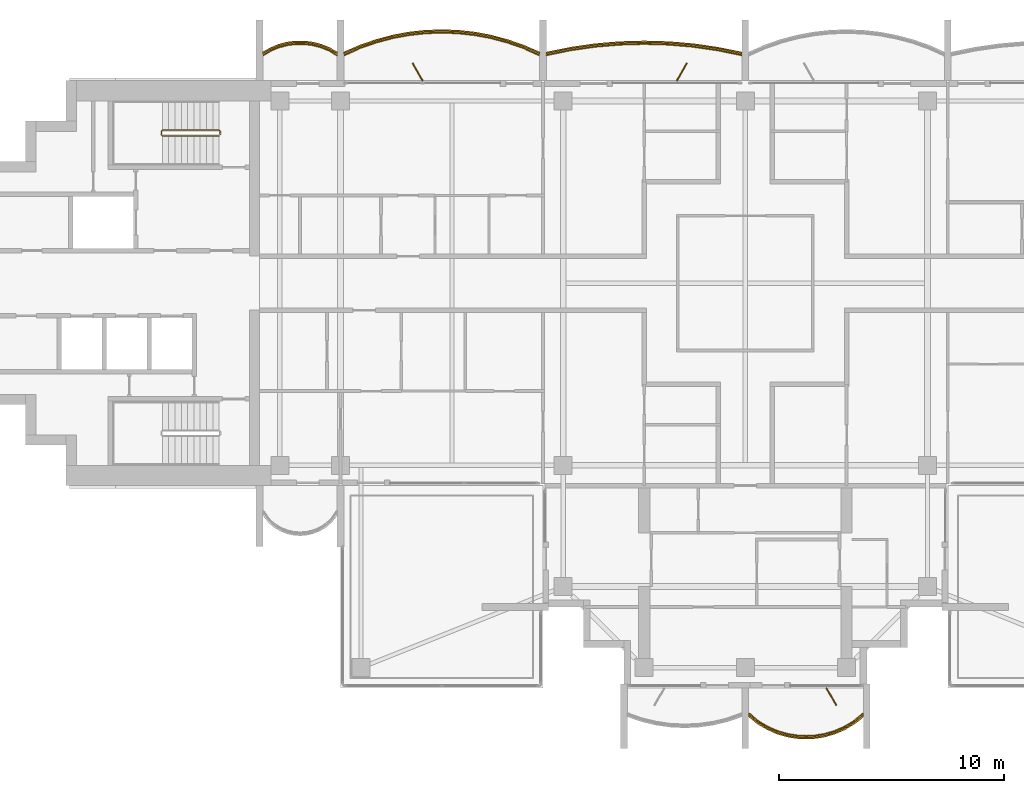
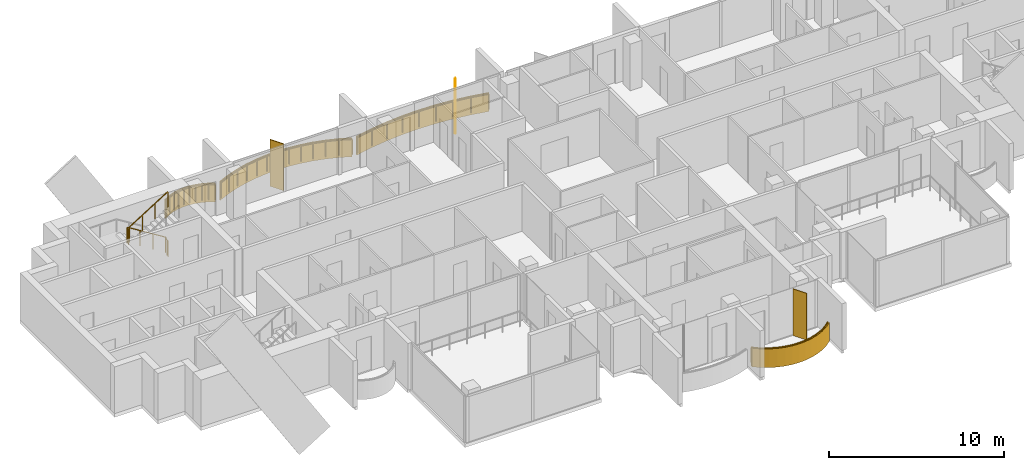
# One storey, part 14 of 16: 5 railings, 4 coverings, 3 shading devices.
"""IFC4 building model written with IfcOpenShell, lengths in metres."""

import ifcopenshell
import ifcopenshell.guid

model = None  # the IFC model being written
_history = None  # IfcOwnerHistory: only IFC2X3 demands one
_inside = {}  # id of a spatial element -> (the spatial element, [elements in it])
_under = {}  # id of a project, library or spatial element -> (it, [spatial elements below it])
_declared = {}  # id of a project -> (the project, [libraries it declares])
_typed = {}  # id of a type object -> (the type object, [elements of that type])
_made_of = {}  # id of a material, layer set ... -> (it, [elements and type objects made of it])


def new_model(schema):
    """Start an empty IFC model of exactly this schema.

    Asked for "IFC4X3", IfcOpenShell would pick the latest addendum, in which some entities
    have other attributes; the version numbers below select the first issue.
    IFC2X3 requires an IfcOwnerHistory on every rooted entity: one is made here for all.
    """
    global model, _history
    if schema == "IFC4X3":
        model = ifcopenshell.file(schema_version=(4, 3, 0, 0))
    else:
        model = ifcopenshell.file(schema=schema)
    _inside.clear()
    _under.clear()
    _declared.clear()
    _typed.clear()
    _made_of.clear()
    _history = None
    if model.schema == "IFC2X3":
        org = make("IfcOrganization", Name="unknown")
        user = make(
            "IfcPersonAndOrganization",
            ThePerson=make("IfcPerson", FamilyName="unknown"),
            TheOrganization=org,
        )
        app = make(
            "IfcApplication",
            ApplicationDeveloper=org,
            Version="unknown",
            ApplicationFullName="unknown",
            ApplicationIdentifier="unknown",
        )
        _history = make(
            "IfcOwnerHistory",
            OwningUser=user,
            OwningApplication=app,
            ChangeAction="ADDED",
            CreationDate=0,
        )
    return model


def make(cls, **values):
    """One entity of the class cls with the attributes given. An attribute that is None is left unset."""
    return model.create_entity(
        cls, **{name: value for name, value in values.items() if value is not None}
    )


def rooted(cls, **values):
    """An entity with a GlobalId (a new one), such as an element, a storey or a relation."""
    return make(cls, GlobalId=ifcopenshell.guid.new(), OwnerHistory=_history, **values)


def si_unit(unit_type, name, prefix=None):
    """IfcSIUnit, for example si_unit("LENGTHUNIT", "METRE", prefix="MILLI")."""
    return make("IfcSIUnit", UnitType=unit_type, Prefix=prefix, Name=name)


def assignment(units):
    """IfcUnitAssignment: the units of a project."""
    return None if units is None else make("IfcUnitAssignment", Units=units)


def point(xyz):
    """IfcCartesianPoint."""
    return None if xyz is None else make("IfcCartesianPoint", Coordinates=xyz)


def direction(xyz):
    """IfcDirection."""
    return None if xyz is None else make("IfcDirection", DirectionRatios=xyz)


def frame(location, z_axis=None, x_axis=None):
    """IfcAxis2Placement3D, a coordinate frame: its origin and axes. An axis left out is left unset."""
    return make(
        "IfcAxis2Placement3D",
        Location=point(location),
        Axis=direction(z_axis),
        RefDirection=direction(x_axis),
    )


def frame_2d(location, x_axis=None):
    """IfcAxis2Placement2D, a coordinate frame in the plane: its origin and x axis."""
    return make(
        "IfcAxis2Placement2D", Location=point(location), RefDirection=direction(x_axis)
    )


def origin():
    """The frame at (0, 0, 0) with its axes left unset."""
    return frame((0.0, 0.0, 0.0))


def origin_2d():
    """The frame at (0, 0) in the plane with its x axis left unset."""
    return frame_2d((0.0, 0.0))


def place(relative_to, where):
    """IfcLocalPlacement: puts the frame where relative to a parent placement (None: the world)."""
    return make(
        "IfcLocalPlacement", PlacementRelTo=relative_to, RelativePlacement=where
    )


def context(
    kind, dimensions, precision=None, world=None, true_north=None, identifier=None
):
    """IfcGeometricRepresentationContext, for example the 3D "Model" context."""
    return make(
        "IfcGeometricRepresentationContext",
        ContextIdentifier=identifier,
        ContextType=kind,
        CoordinateSpaceDimension=dimensions,
        Precision=precision,
        WorldCoordinateSystem=world,
        TrueNorth=true_north,
    )


def subcontext(parent, identifier, kind, view, scale=None):
    """IfcGeometricRepresentationSubContext, for example "Body" below "Model"."""
    return make(
        "IfcGeometricRepresentationSubContext",
        ContextIdentifier=identifier,
        ContextType=kind,
        ParentContext=parent,
        TargetScale=scale,
        TargetView=view,
    )


def project(units=None, contexts=None):
    """IfcProject with its units and contexts."""
    return rooted(
        "IfcProject",
        Name="project",
        RepresentationContexts=contexts,
        UnitsInContext=assignment(units),
    )


def spatial(cls, under=None, at=None, **own):
    """A site, building, storey or space (cls), placed at a placement, below another one or the project."""
    s = rooted(cls, ObjectPlacement=at, **own)
    if under is not None:
        _under.setdefault(under.id(), (under, []))[1].append(s)
    return s


def polyline(points):
    """IfcPolyline through the points."""
    return make("IfcPolyline", Points=[point(p) for p in points])


def profile(cls, at=None, kind="AREA", **sizes):
    """A parametric profile (cls). Its sizes go by their IFC names, for example OverallWidth=200.0."""
    return make(cls, ProfileType=kind, Position=at, **sizes)


def rectangle(**sizes):
    """IfcRectangleProfileDef."""
    return profile("IfcRectangleProfileDef", **sizes)


def outline(outer, holes=None, kind="AREA"):
    """IfcArbitraryClosedProfileDef: a profile drawn as a closed curve; with holes, ...WithVoids."""
    if holes is None:
        return make("IfcArbitraryClosedProfileDef", ProfileType=kind, OuterCurve=outer)
    return make(
        "IfcArbitraryProfileDefWithVoids",
        ProfileType=kind,
        OuterCurve=outer,
        InnerCurves=holes,
    )


def extrude(swept, where, along, depth):
    """IfcExtrudedAreaSolid: the profile swept, set in the frame where, extruded along a direction by depth."""
    return make(
        "IfcExtrudedAreaSolid",
        SweptArea=swept,
        Position=where,
        ExtrudedDirection=direction(along),
        Depth=depth,
    )


def shape(context_of_items, identifier, shape_type, items):
    """IfcShapeRepresentation: the items that make up one representation, for example the "Body"."""
    return make(
        "IfcShapeRepresentation",
        ContextOfItems=context_of_items,
        RepresentationIdentifier=identifier,
        RepresentationType=shape_type,
        Items=items,
    )


def material(Name=None, Category=None):
    """IfcMaterial."""
    return make("IfcMaterial", Name=Name, Category=Category)


def layer(
    of_material, thickness, ventilated=None, Name=None, Category=None, Priority=None
):
    """IfcMaterialLayer: one layer of a wall or slab, of a material (None: an air gap)."""
    return make(
        "IfcMaterialLayer",
        Material=of_material,
        LayerThickness=thickness,
        IsVentilated=ventilated,
        Name=Name,
        Category=Category,
        Priority=Priority,
    )


def layer_set(layers, Name=None):
    """IfcMaterialLayerSet."""
    return make("IfcMaterialLayerSet", MaterialLayers=layers, LayerSetName=Name)


def made_of(thing, what):
    """Note that an element or type object is made of a material, layer set ...; save() writes the relation."""
    if what is not None:
        _made_of.setdefault(what.id(), (what, []))[1].append(thing)
    return thing


def type_object(cls, material=None, **own):
    """A type object (cls), such as IfcWallType, which elements share."""
    return made_of(rooted(cls, **own), material)


def element(
    cls,
    number,
    at=None,
    inside=None,
    cuts=None,
    type_object=None,
    material=None,
    context=None,
    identifier="Body",
    shape_type=None,
    held_by="IfcProductDefinitionShape",
    body=None,
    shapes=None,
    **own,
):
    """One element of the class cls, such as IfcWall. Its Tag is "e" and its number.

    at: its placement. inside: the storey or other place that contains it. cuts: it is an
    opening in that element (IfcRelVoidsElement). A single representation is given by context,
    identifier, shape_type and body (its items); several are given by shapes. held_by: the class
    of the entity that holds the representations. save() writes the other relations.
    """
    e = rooted(cls, Tag="e%d" % number, ObjectPlacement=at, **own)
    if body is not None:
        shapes = [shape(context, identifier, shape_type, body)]
    if shapes is not None:
        e.Representation = make(held_by, Representations=shapes)
    if inside is not None:
        _inside.setdefault(inside.id(), (inside, []))[1].append(e)
    if cuts is not None:
        rooted(
            "IfcRelVoidsElement", RelatingBuildingElement=cuts, RelatedOpeningElement=e
        )
    if type_object is not None:
        _typed.setdefault(type_object.id(), (type_object, []))[1].append(e)
    return made_of(e, material)


def aggregate(whole, parts):
    """IfcRelAggregates: a whole, such as a stair, and the parts it consists of."""
    return rooted("IfcRelAggregates", RelatingObject=whole, RelatedObjects=parts)


def save(model, path):
    """Write the relations noted so far, then the file.

    IfcRelAggregates (storeys below a building ...), IfcRelContainedInSpatialStructure (elements
    in a storey), IfcRelDefinesByType, IfcRelAssociatesMaterial and IfcRelDeclares: one each for
    every whole, place, type object, material and project.
    """
    for whole, parts in _under.values():
        aggregate(whole, parts)
    for where, things in _inside.values():
        rooted(
            "IfcRelContainedInSpatialStructure",
            RelatedElements=things,
            RelatingStructure=where,
        )
    for kind, things in _typed.values():
        rooted("IfcRelDefinesByType", RelatedObjects=things, RelatingType=kind)
    for what, things in _made_of.values():
        rooted("IfcRelAssociatesMaterial", RelatedObjects=things, RelatingMaterial=what)
    for by, libraries in _declared.values():
        rooted("IfcRelDeclares", RelatingContext=by, RelatedDefinitions=libraries)
    model.write(path)


model = new_model("IFC4")

# Units and contexts
model_context = context("Model", 3, precision=1e-05, world=origin(), true_north=direction((0.0, 1.0)))
body_context = subcontext(model_context, "Body", "Model", "MODEL_VIEW")
ifc_project = project(units=[si_unit("LENGTHUNIT", "METRE"), si_unit("AREAUNIT", "SQUARE_METRE"), si_unit("VOLUMEUNIT", "CUBIC_METRE"), si_unit("PLANEANGLEUNIT", "RADIAN"), si_unit("MASSUNIT", "GRAM", prefix="KILO")], contexts=[model_context])

# Site, building, storey
site_placement = place(None, origin())
site = spatial("IfcSite", under=ifc_project, at=site_placement, CompositionType="ELEMENT")
building_placement = place(site_placement, origin())
building = spatial("IfcBuilding", under=site, at=building_placement, Name="Perihelion Cross Residences", CompositionType="ELEMENT")
storey_placement = place(building_placement, frame((0.0, 0.0, 260.5)))
storey = spatial("IfcBuildingStorey", under=building, at=storey_placement, Name="L66", CompositionType="ELEMENT", Elevation=260.5)

# Coverings
ifc_material_1 = material(Name="Bronze anodised aluminium", Category="aluminium")
ifc_layer_1 = layer(ifc_material_1, 0.070068359375)
ifc_layer_set_1 = layer_set([ifc_layer_1], Name="Balcony fascia 1300")
covering_type = type_object("IfcCoveringType", Name="Balcony fascia 1300", PredefinedType="CLADDING", material=ifc_layer_set_1)
covering_1_placement = place(storey_placement, frame((0.0, 0.0, -0.199951171875)))
element("IfcCovering", 1, at=covering_1_placement, inside=storey, type_object=covering_type, Name="Fascia BF1 L66 north side east bay 2", PredefinedType="CLADDING", context=body_context, shape_type="SweptSolid", body=[
    extrude(outline(polyline([(-1.2255859375, 10.4892578125), (-2.317138671875, 10.645751953125), (-3.408447265625, 10.739013671875), (-4.5, 10.77001953125), (-5.591552734375, 10.739013671875), (-6.682861328125, 10.645751953125), (-7.7744140625, 10.4892578125), (-8.85009765625, 10.271484375), (-8.85009765625, 10.199951171875), (-7.762451171875, 10.42041015625), (-6.675048828125, 10.576171875), (-5.58740234375, 10.669189453125), (-4.5, 10.699951171875), (-3.41259765625, 10.669189453125), (-2.324951171875, 10.576171875), (-1.237548828125, 10.42041015625), (-0.14990234375, 10.199951171875), (-0.14990234375, 10.271484375), (-1.2255859375, 10.4892578125)])), origin(), (0.0, 0.0, 1.0), 1.300048828125),
])
covering_2_placement = place(storey_placement, frame((0.0, 0.0, -0.199951171875)))
element("IfcCovering", 2, at=covering_2_placement, inside=storey, type_object=covering_type, Name="Fascia BF1 L66 west side north bay 1", PredefinedType="CLADDING", context=body_context, shape_type="SweptSolid", body=[
    extrude(outline(polyline([(-9.849365234375, 10.582275390625), (-10.57958984375, 10.83544921875), (-11.309814453125, 11.028076171875), (-12.039794921875, 11.1630859375), (-12.77001953125, 11.243408203125), (-13.5, 11.27001953125), (-14.22998046875, 11.243408203125), (-14.960205078125, 11.1630859375), (-15.690185546875, 11.028076171875), (-16.42041015625, 10.83544921875), (-17.150634765625, 10.582275390625), (-17.85009765625, 10.2763671875), (-17.85009765625, 10.199951171875), (-17.125, 10.51708984375), (-16.39990234375, 10.7685546875), (-15.675048828125, 10.959716796875), (-14.949951171875, 11.093994140625), (-14.22509765625, 11.173583984375), (-13.5, 11.199951171875), (-12.77490234375, 11.173583984375), (-12.050048828125, 11.093994140625), (-11.324951171875, 10.959716796875), (-10.60009765625, 10.7685546875), (-9.875, 10.51708984375), (-9.14990234375, 10.199951171875), (-9.14990234375, 10.2763671875), (-9.849365234375, 10.582275390625)])), origin(), (0.0, 0.0, 1.0), 1.300048828125),
])
covering_3_placement = place(storey_placement, frame((0.0, 0.0, -0.199951171875)))
element("IfcCovering", 3, at=covering_3_placement, inside=storey, type_object=covering_type, Name="Fascia BF1 L66 west side north bay 2", PredefinedType="CLADDING", context=body_context, shape_type="SweptSolid", body=[
    extrude(outline(polyline([(-18.486328125, 10.4716796875), (-18.861572265625, 10.62158203125), (-19.237060546875, 10.717529296875), (-19.6123046875, 10.76416015625), (-19.987548828125, 10.76416015625), (-20.363037109375, 10.717529296875), (-20.73828125, 10.62158203125), (-21.11376953125, 10.4716796875), (-21.449951171875, 10.280517578125), (-21.449951171875, 10.199951171875), (-21.083251953125, 10.40869140625), (-20.716552734375, 10.55517578125), (-20.35009765625, 10.648681640625), (-19.9833984375, 10.6943359375), (-19.61669921875, 10.6943359375), (-19.25, 10.648681640625), (-18.88330078125, 10.55517578125), (-18.5166015625, 10.40869140625), (-18.14990234375, 10.199951171875), (-18.14990234375, 10.280517578125), (-18.486328125, 10.4716796875)])), origin(), (0.0, 0.0, 1.0), 1.300048828125),
])
covering_4_placement = place(storey_placement, frame((0.0, 0.0, -0.199951171875)))
element("IfcCovering", 4, at=covering_4_placement, inside=storey, type_object=covering_type, Name="Fascia BF1 L66 south tip south bay 2", PredefinedType="CLADDING", context=body_context, shape_type="SweptSolid", body=[
    extrude(outline(polyline([(0.53515625, -19.59765625), (0.96826171875, -19.85498046875), (1.401123046875, -20.04248046875), (1.833984375, -20.170654296875), (2.26708984375, -20.245361328125), (2.699951171875, -20.27001953125), (3.133056640625, -20.245361328125), (3.56591796875, -20.170654296875), (3.998779296875, -20.04248046875), (4.431884765625, -19.85498046875), (4.86474609375, -19.59765625), (5.25, -19.28955078125), (5.25, -19.199951171875), (4.824951171875, -19.5400390625), (4.39990234375, -19.792724609375), (3.97509765625, -19.9765625), (3.550048828125, -20.1025390625), (3.125, -20.17578125), (2.699951171875, -20.199951171875), (2.27490234375, -20.17578125), (1.85009765625, -20.1025390625), (1.425048828125, -19.9765625), (1.0, -19.792724609375), (0.574951171875, -19.5400390625), (0.14990234375, -19.199951171875), (0.14990234375, -19.28955078125), (0.53515625, -19.59765625)])), origin(), (0.0, 0.0, 1.0), 1.300048828125),
])

# Railings
ifc_material_2 = material(Name="Bronze anodised aluminium", Category="aluminium")
railing_type_1 = type_object("IfcRailingType", Name="Balcony guard 1100", PredefinedType="GUARDRAIL", material=ifc_material_2)
railing_1_placement = place(storey_placement, frame((-0.175048828125, 10.139892578125, 0.0)))
element("IfcRailing", 5, at=railing_1_placement, inside=storey, type_object=railing_type_1, Name="Guard GU1 L66 north side east bay 2 balcony", PredefinedType="GUARDRAIL", context=body_context, shape_type="SweptSolid", body=[
    extrude(rectangle(XDim=0.048095703125, YDim=0.048095703125, at=origin_2d()), frame((0.0, 0.0, 1.076171875), z_axis=(-0.979144816647, 0.203163549961, 0.0), x_axis=(-0.203163549961, -0.979144816647, 0.0)), (0.0, 0.0, 1.0), 1.085205078125),
    extrude(rectangle(XDim=0.048095703125, YDim=0.048095703125, at=origin_2d()), frame((-1.0625, 0.220458984375, 1.076171875), z_axis=(-0.98989608354, 0.141794724135, 0.0), x_axis=(-0.141794724135, -0.98989608354, 0.0)), (0.0, 0.0, 1.0), 1.098388671875),
    extrude(rectangle(XDim=0.048095703125, YDim=0.048095703125, at=origin_2d()), frame((-2.14990234375, 0.376220703125, 1.076171875), z_axis=(-0.996362942492, 0.085210837506, 0.0), x_axis=(-0.085210837506, -0.996362942492, 0.0)), (0.0, 0.0, 1.0), 1.091552734375),
    extrude(rectangle(XDim=0.048095703125, YDim=0.048095703125, at=origin_2d()), frame((-3.237548828125, 0.46923828125, 1.076171875), z_axis=(-0.999600101203, 0.028277865458, 0.0), x_axis=(-0.028277865458, -0.999600101203, 0.0)), (0.0, 0.0, 1.0), 1.087890625),
    extrude(rectangle(XDim=0.048095703125, YDim=0.048095703125, at=origin_2d()), frame((-4.324951171875, 0.5, 1.076171875), z_axis=(-0.999600101203, -0.028277865458, 0.0), x_axis=(0.028277865458, -0.999600101203, 0.0)), (0.0, 0.0, 1.0), 1.087890625),
    extrude(rectangle(XDim=0.048095703125, YDim=0.048095703125, at=origin_2d()), frame((-5.412353515625, 0.46923828125, 1.076171875), z_axis=(-0.996362942492, -0.085210837506, 0.0), x_axis=(0.085210837506, -0.996362942492, 0.0)), (0.0, 0.0, 1.0), 1.091552734375),
    extrude(rectangle(XDim=0.048095703125, YDim=0.048095703125, at=origin_2d()), frame((-6.5, 0.376220703125, 1.076171875), z_axis=(-0.98989608354, -0.141794724135, 0.0), x_axis=(0.141794724135, -0.98989608354, 0.0)), (0.0, 0.0, 1.0), 1.098388671875),
    extrude(rectangle(XDim=0.048095703125, YDim=0.048095703125, at=origin_2d()), frame((-7.58740234375, 0.220458984375, 1.076171875), z_axis=(-0.979144816647, -0.203163549961, 0.0), x_axis=(0.203163549961, -0.979144816647, 0.0)), (0.0, 0.0, 1.0), 1.085205078125),
    extrude(rectangle(XDim=0.0419921875, YDim=0.0419921875, at=origin_2d()), origin(), (0.0, 0.0, 1.0), 1.052001953125),
    extrude(rectangle(XDim=0.0419921875, YDim=0.0419921875, at=origin_2d()), frame((-1.0625, 0.220458984375, 0.0)), (0.0, 0.0, 1.0), 1.052001953125),
    extrude(rectangle(XDim=0.0419921875, YDim=0.0419921875, at=origin_2d()), frame((-2.14990234375, 0.376220703125, 0.0)), (0.0, 0.0, 1.0), 1.052001953125),
    extrude(rectangle(XDim=0.0419921875, YDim=0.0419921875, at=origin_2d()), frame((-3.237548828125, 0.46923828125, 0.0)), (0.0, 0.0, 1.0), 1.052001953125),
    extrude(rectangle(XDim=0.0419921875, YDim=0.0419921875, at=origin_2d()), frame((-4.324951171875, 0.5, 0.0)), (0.0, 0.0, 1.0), 1.052001953125),
    extrude(rectangle(XDim=0.0419921875, YDim=0.0419921875, at=origin_2d()), frame((-5.412353515625, 0.46923828125, 0.0)), (0.0, 0.0, 1.0), 1.052001953125),
    extrude(rectangle(XDim=0.0419921875, YDim=0.0419921875, at=origin_2d()), frame((-6.5, 0.376220703125, 0.0)), (0.0, 0.0, 1.0), 1.052001953125),
    extrude(rectangle(XDim=0.0419921875, YDim=0.0419921875, at=origin_2d()), frame((-7.58740234375, 0.220458984375, 0.0)), (0.0, 0.0, 1.0), 1.052001953125),
    extrude(rectangle(XDim=0.0419921875, YDim=0.0419921875, at=origin_2d()), frame((-8.64990234375, 0.0, 0.0)), (0.0, 0.0, 1.0), 1.052001953125),
])
railing_2_placement = place(storey_placement, frame((-9.175048828125, 10.139892578125, 0.0)))
element("IfcRailing", 6, at=railing_2_placement, inside=storey, type_object=railing_type_1, Name="Guard GU1 L66 west side north bay 1 balcony", PredefinedType="GUARDRAIL", context=body_context, shape_type="SweptSolid", body=[
    extrude(rectangle(XDim=0.048095703125, YDim=0.048095703125, at=origin_2d()), frame((0.0, 0.0, 1.076171875), z_axis=(-0.910866309087, 0.412701547089, 0.0), x_axis=(-0.412701547089, -0.910866309087, 0.0)), (0.0, 0.0, 1.0), 0.7685546875),
    extrude(rectangle(XDim=0.048095703125, YDim=0.048095703125, at=origin_2d()), frame((-0.699951171875, 0.317138671875, 1.076171875), z_axis=(-0.944796812452, 0.327656807012, 0.0), x_axis=(-0.327656807012, -0.944796812452, 0.0)), (0.0, 0.0, 1.0), 0.767578125),
    extrude(rectangle(XDim=0.048095703125, YDim=0.048095703125, at=origin_2d()), frame((-1.425048828125, 0.568603515625, 1.076171875), z_axis=(-0.966939404945, 0.255006249266, 0.0), x_axis=(-0.255006249266, -0.966939404945, 0.0)), (0.0, 0.0, 1.0), 0.749755859375),
    extrude(rectangle(XDim=0.048095703125, YDim=0.048095703125, at=origin_2d()), frame((-2.14990234375, 0.759765625, 1.076171875), z_axis=(-0.983282004984, 0.182089260182, 0.0), x_axis=(-0.182089260182, -0.983282004984, 0.0)), (0.0, 0.0, 1.0), 0.7373046875),
    extrude(rectangle(XDim=0.048095703125, YDim=0.048095703125, at=origin_2d()), frame((-2.875, 0.89404296875, 1.076171875), z_axis=(-0.994025805622, 0.109145305703, 0.0), x_axis=(-0.109145305703, -0.994025805622, 0.0)), (0.0, 0.0, 1.0), 0.729248046875),
    extrude(rectangle(XDim=0.048095703125, YDim=0.048095703125, at=origin_2d()), frame((-3.599853515625, 0.9736328125, 1.076171875), z_axis=(-0.999339497946, 0.036339618107, 0.0), x_axis=(-0.036339618107, -0.999339497946, 0.0)), (0.0, 0.0, 1.0), 0.7255859375),
    extrude(rectangle(XDim=0.048095703125, YDim=0.048095703125, at=origin_2d()), frame((-4.324951171875, 1.0, 1.076171875), z_axis=(-0.999339497946, -0.036339618107, 0.0), x_axis=(0.036339618107, -0.999339497946, 0.0)), (0.0, 0.0, 1.0), 0.7255859375),
    extrude(rectangle(XDim=0.048095703125, YDim=0.048095703125, at=origin_2d()), frame((-5.050048828125, 0.9736328125, 1.076171875), z_axis=(-0.994025805622, -0.109145305703, 0.0), x_axis=(0.109145305703, -0.994025805622, 0.0)), (0.0, 0.0, 1.0), 0.729248046875),
    extrude(rectangle(XDim=0.048095703125, YDim=0.048095703125, at=origin_2d()), frame((-5.77490234375, 0.89404296875, 1.076171875), z_axis=(-0.983282004984, -0.182089260182, 0.0), x_axis=(0.182089260182, -0.983282004984, 0.0)), (0.0, 0.0, 1.0), 0.7373046875),
    extrude(rectangle(XDim=0.048095703125, YDim=0.048095703125, at=origin_2d()), frame((-6.5, 0.759765625, 1.076171875), z_axis=(-0.966939404945, -0.255006249266, 0.0), x_axis=(0.255006249266, -0.966939404945, 0.0)), (0.0, 0.0, 1.0), 0.749755859375),
    extrude(rectangle(XDim=0.048095703125, YDim=0.048095703125, at=origin_2d()), frame((-7.224853515625, 0.568603515625, 1.076171875), z_axis=(-0.944796812452, -0.327656807012, 0.0), x_axis=(0.327656807012, -0.944796812452, 0.0)), (0.0, 0.0, 1.0), 0.767578125),
    extrude(rectangle(XDim=0.048095703125, YDim=0.048095703125, at=origin_2d()), frame((-7.949951171875, 0.317138671875, 1.076171875), z_axis=(-0.910866309087, -0.412701547089, 0.0), x_axis=(0.412701547089, -0.910866309087, 0.0)), (0.0, 0.0, 1.0), 0.7685546875),
    extrude(rectangle(XDim=0.0419921875, YDim=0.0419921875, at=origin_2d()), origin(), (0.0, 0.0, 1.0), 1.052001953125),
    extrude(rectangle(XDim=0.0419921875, YDim=0.0419921875, at=origin_2d()), frame((-0.699951171875, 0.317138671875, 0.0)), (0.0, 0.0, 1.0), 1.052001953125),
    extrude(rectangle(XDim=0.0419921875, YDim=0.0419921875, at=origin_2d()), frame((-1.425048828125, 0.568603515625, 0.0)), (0.0, 0.0, 1.0), 1.052001953125),
    extrude(rectangle(XDim=0.0419921875, YDim=0.0419921875, at=origin_2d()), frame((-2.14990234375, 0.759765625, 0.0)), (0.0, 0.0, 1.0), 1.052001953125),
    extrude(rectangle(XDim=0.0419921875, YDim=0.0419921875, at=origin_2d()), frame((-2.875, 0.89404296875, 0.0)), (0.0, 0.0, 1.0), 1.052001953125),
    extrude(rectangle(XDim=0.0419921875, YDim=0.0419921875, at=origin_2d()), frame((-3.599853515625, 0.9736328125, 0.0)), (0.0, 0.0, 1.0), 1.052001953125),
    extrude(rectangle(XDim=0.0419921875, YDim=0.0419921875, at=origin_2d()), frame((-4.324951171875, 1.0, 0.0)), (0.0, 0.0, 1.0), 1.052001953125),
    extrude(rectangle(XDim=0.0419921875, YDim=0.0419921875, at=origin_2d()), frame((-5.050048828125, 0.9736328125, 0.0)), (0.0, 0.0, 1.0), 1.052001953125),
    extrude(rectangle(XDim=0.0419921875, YDim=0.0419921875, at=origin_2d()), frame((-5.77490234375, 0.89404296875, 0.0)), (0.0, 0.0, 1.0), 1.052001953125),
    extrude(rectangle(XDim=0.0419921875, YDim=0.0419921875, at=origin_2d()), frame((-6.5, 0.759765625, 0.0)), (0.0, 0.0, 1.0), 1.052001953125),
    extrude(rectangle(XDim=0.0419921875, YDim=0.0419921875, at=origin_2d()), frame((-7.224853515625, 0.568603515625, 0.0)), (0.0, 0.0, 1.0), 1.052001953125),
    extrude(rectangle(XDim=0.0419921875, YDim=0.0419921875, at=origin_2d()), frame((-7.949951171875, 0.317138671875, 0.0)), (0.0, 0.0, 1.0), 1.052001953125),
    extrude(rectangle(XDim=0.0419921875, YDim=0.0419921875, at=origin_2d()), frame((-8.64990234375, 0.0, 0.0)), (0.0, 0.0, 1.0), 1.052001953125),
])
railing_3_placement = place(storey_placement, frame((-18.175048828125, 10.139892578125, 0.0)))
element("IfcRailing", 7, at=railing_3_placement, inside=storey, type_object=railing_type_1, Name="Guard GU1 L66 west side north bay 2 balcony", PredefinedType="GUARDRAIL", context=body_context, shape_type="SweptSolid", body=[
    extrude(rectangle(XDim=0.048095703125, YDim=0.048095703125, at=origin_2d()), frame((0.0, 0.0, 1.076171875), z_axis=(-0.853266756821, 0.52147467983, 0.0), x_axis=(-0.52147467983, -0.853266756821, 0.0)), (0.0, 0.0, 1.0), 0.400390625),
    extrude(rectangle(XDim=0.048095703125, YDim=0.048095703125, at=origin_2d()), frame((-0.341552734375, 0.208740234375, 1.076171875), z_axis=(-0.928647151248, 0.37096424151, 0.0), x_axis=(-0.37096424151, -0.928647151248, 0.0)), (0.0, 0.0, 1.0), 0.394775390625),
    extrude(rectangle(XDim=0.048095703125, YDim=0.048095703125, at=origin_2d()), frame((-0.708251953125, 0.355224609375, 1.076171875), z_axis=(-0.968993337782, 0.247086849781, 0.0), x_axis=(-0.247086849781, -0.968993337782, 0.0)), (0.0, 0.0, 1.0), 0.37841796875),
    extrude(rectangle(XDim=0.048095703125, YDim=0.048095703125, at=origin_2d()), frame((-1.074951171875, 0.44873046875, 1.076171875), z_axis=(-0.992338742457, 0.123546834114, 0.0), x_axis=(-0.123546834114, -0.992338742457, 0.0)), (0.0, 0.0, 1.0), 0.36962890625),
    extrude(rectangle(XDim=0.048095703125, YDim=0.048095703125, at=origin_2d()), frame((-1.441650390625, 0.494384765625, 1.076171875), z_axis=(-1.0, 0.0, 0.0), x_axis=(0.0, -1.0, 0.0)), (0.0, 0.0, 1.0), 0.36669921875),
    extrude(rectangle(XDim=0.048095703125, YDim=0.048095703125, at=origin_2d()), frame((-1.808349609375, 0.494384765625, 1.076171875), z_axis=(-0.992338742457, -0.123546834114, 0.0), x_axis=(0.123546834114, -0.992338742457, 0.0)), (0.0, 0.0, 1.0), 0.36962890625),
    extrude(rectangle(XDim=0.048095703125, YDim=0.048095703125, at=origin_2d()), frame((-2.175048828125, 0.44873046875, 1.076171875), z_axis=(-0.968953914071, -0.247241405123, 0.0), x_axis=(0.247241405123, -0.968953914071, 0.0)), (0.0, 0.0, 1.0), 0.378173828125),
    extrude(rectangle(XDim=0.048095703125, YDim=0.048095703125, at=origin_2d()), frame((-2.54150390625, 0.355224609375, 1.076171875), z_axis=(-0.928647151248, -0.37096424151, 0.0), x_axis=(0.37096424151, -0.928647151248, 0.0)), (0.0, 0.0, 1.0), 0.394775390625),
    extrude(rectangle(XDim=0.048095703125, YDim=0.048095703125, at=origin_2d()), frame((-2.908203125, 0.208740234375, 1.076171875), z_axis=(-0.853432484338, -0.521203410078, 0.0), x_axis=(0.521203410078, -0.853432484338, 0.0)), (0.0, 0.0, 1.0), 0.400390625),
    extrude(rectangle(XDim=0.0419921875, YDim=0.0419921875, at=origin_2d()), origin(), (0.0, 0.0, 1.0), 1.052001953125),
    extrude(rectangle(XDim=0.0419921875, YDim=0.0419921875, at=origin_2d()), frame((-0.341552734375, 0.208740234375, 0.0)), (0.0, 0.0, 1.0), 1.052001953125),
    extrude(rectangle(XDim=0.0419921875, YDim=0.0419921875, at=origin_2d()), frame((-0.708251953125, 0.355224609375, 0.0)), (0.0, 0.0, 1.0), 1.052001953125),
    extrude(rectangle(XDim=0.0419921875, YDim=0.0419921875, at=origin_2d()), frame((-1.074951171875, 0.44873046875, 0.0)), (0.0, 0.0, 1.0), 1.052001953125),
    extrude(rectangle(XDim=0.0419921875, YDim=0.0419921875, at=origin_2d()), frame((-1.441650390625, 0.494384765625, 0.0)), (0.0, 0.0, 1.0), 1.052001953125),
    extrude(rectangle(XDim=0.0419921875, YDim=0.0419921875, at=origin_2d()), frame((-1.808349609375, 0.494384765625, 0.0)), (0.0, 0.0, 1.0), 1.052001953125),
    extrude(rectangle(XDim=0.0419921875, YDim=0.0419921875, at=origin_2d()), frame((-2.175048828125, 0.44873046875, 0.0)), (0.0, 0.0, 1.0), 1.052001953125),
    extrude(rectangle(XDim=0.0419921875, YDim=0.0419921875, at=origin_2d()), frame((-2.54150390625, 0.355224609375, 0.0)), (0.0, 0.0, 1.0), 1.052001953125),
    extrude(rectangle(XDim=0.0419921875, YDim=0.0419921875, at=origin_2d()), frame((-2.908203125, 0.208740234375, 0.0)), (0.0, 0.0, 1.0), 1.052001953125),
    extrude(rectangle(XDim=0.0419921875, YDim=0.0419921875, at=origin_2d()), frame((-3.25, 0.0, 0.0)), (0.0, 0.0, 1.0), 1.052001953125),
])
railing_4_placement = place(storey_placement, frame((0.175048828125, -19.139892578125, 0.0)))
element("IfcRailing", 8, at=railing_4_placement, inside=storey, type_object=railing_type_1, Name="Guard GU1 L66 south tip south bay 2 balcony", PredefinedType="GUARDRAIL", context=body_context, shape_type="SweptSolid", body=[
    extrude(rectangle(XDim=0.048095703125, YDim=0.048095703125, at=origin_2d()), frame((0.0, 0.0, 1.076171875), z_axis=(0.761778647315, -0.647837396648, 0.0), x_axis=(0.647837396648, 0.761778647315, 0.0)), (0.0, 0.0, 1.0), 0.52490234375),
    extrude(rectangle(XDim=0.048095703125, YDim=0.048095703125, at=origin_2d()), frame((0.39990234375, -0.340087890625, 1.076171875), z_axis=(0.859576918062, -0.511006381501, 0.0), x_axis=(0.511006381501, 0.859576918062, 0.0)), (0.0, 0.0, 1.0), 0.494384765625),
    extrude(rectangle(XDim=0.048095703125, YDim=0.048095703125, at=origin_2d()), frame((0.824951171875, -0.5927734375, 1.076171875), z_axis=(0.917638931453, -0.397415137459, 0.0), x_axis=(0.397415137459, 0.917638931453, 0.0)), (0.0, 0.0, 1.0), 0.463134765625),
    extrude(rectangle(XDim=0.048095703125, YDim=0.048095703125, at=origin_2d()), frame((1.25, -0.77685546875, 1.076171875), z_axis=(0.958925815697, -0.283656975924, 0.0), x_axis=(0.283656975924, 0.958925815697, 0.0)), (0.0, 0.0, 1.0), 0.443359375),
    extrude(rectangle(XDim=0.048095703125, YDim=0.048095703125, at=origin_2d()), frame((1.675048828125, -0.902587890625, 1.076171875), z_axis=(0.985365142702, -0.170456843651, 0.0), x_axis=(0.170456843651, 0.985365142702, 0.0)), (0.0, 0.0, 1.0), 0.43115234375),
    extrude(rectangle(XDim=0.048095703125, YDim=0.048095703125, at=origin_2d()), frame((2.099853515625, -0.97607421875, 1.076171875), z_axis=(0.9984195016, -0.056200523353, 0.0), x_axis=(0.056200523353, 0.9984195016, 0.0)), (0.0, 0.0, 1.0), 0.42578125),
    extrude(rectangle(XDim=0.048095703125, YDim=0.048095703125, at=origin_2d()), frame((2.52490234375, -1.0, 1.076171875), z_axis=(0.9984195016, 0.056200523353, 0.0), x_axis=(-0.056200523353, 0.9984195016, 0.0)), (0.0, 0.0, 1.0), 0.42578125),
    extrude(rectangle(XDim=0.048095703125, YDim=0.048095703125, at=origin_2d()), frame((2.949951171875, -0.97607421875, 1.076171875), z_axis=(0.985381583142, 0.17036177859, 0.0), x_axis=(-0.17036177859, 0.985381583142, 0.0)), (0.0, 0.0, 1.0), 0.431396484375),
    extrude(rectangle(XDim=0.048095703125, YDim=0.048095703125, at=origin_2d()), frame((3.375, -0.902587890625, 1.076171875), z_axis=(0.958925815697, 0.283656975924, 0.0), x_axis=(-0.283656975924, 0.958925815697, 0.0)), (0.0, 0.0, 1.0), 0.443359375),
    extrude(rectangle(XDim=0.048095703125, YDim=0.048095703125, at=origin_2d()), frame((3.800048828125, -0.77685546875, 1.076171875), z_axis=(0.91755562531, 0.397607437634, 0.0), x_axis=(-0.397607437634, 0.91755562531, 0.0)), (0.0, 0.0, 1.0), 0.462890625),
    extrude(rectangle(XDim=0.048095703125, YDim=0.048095703125, at=origin_2d()), frame((4.224853515625, -0.5927734375, 1.076171875), z_axis=(0.859576918062, 0.511006381501, 0.0), x_axis=(-0.511006381501, 0.859576918062, 0.0)), (0.0, 0.0, 1.0), 0.494384765625),
    extrude(rectangle(XDim=0.048095703125, YDim=0.048095703125, at=origin_2d()), frame((4.64990234375, -0.340087890625, 1.076171875), z_axis=(0.761973728849, 0.647607934281, 0.0), x_axis=(-0.647607934281, 0.761973728849, 0.0)), (0.0, 0.0, 1.0), 0.525146484375),
    extrude(rectangle(XDim=0.0419921875, YDim=0.0419921875, at=origin_2d()), origin(), (0.0, 0.0, 1.0), 1.052001953125),
    extrude(rectangle(XDim=0.0419921875, YDim=0.0419921875, at=origin_2d()), frame((0.39990234375, -0.340087890625, 0.0)), (0.0, 0.0, 1.0), 1.052001953125),
    extrude(rectangle(XDim=0.0419921875, YDim=0.0419921875, at=origin_2d()), frame((0.824951171875, -0.5927734375, 0.0)), (0.0, 0.0, 1.0), 1.052001953125),
    extrude(rectangle(XDim=0.0419921875, YDim=0.0419921875, at=origin_2d()), frame((1.25, -0.77685546875, 0.0)), (0.0, 0.0, 1.0), 1.052001953125),
    extrude(rectangle(XDim=0.0419921875, YDim=0.0419921875, at=origin_2d()), frame((1.675048828125, -0.902587890625, 0.0)), (0.0, 0.0, 1.0), 1.052001953125),
    extrude(rectangle(XDim=0.0419921875, YDim=0.0419921875, at=origin_2d()), frame((2.099853515625, -0.97607421875, 0.0)), (0.0, 0.0, 1.0), 1.052001953125),
    extrude(rectangle(XDim=0.0419921875, YDim=0.0419921875, at=origin_2d()), frame((2.52490234375, -1.0, 0.0)), (0.0, 0.0, 1.0), 1.052001953125),
    extrude(rectangle(XDim=0.0419921875, YDim=0.0419921875, at=origin_2d()), frame((2.949951171875, -0.97607421875, 0.0)), (0.0, 0.0, 1.0), 1.052001953125),
    extrude(rectangle(XDim=0.0419921875, YDim=0.0419921875, at=origin_2d()), frame((3.375, -0.902587890625, 0.0)), (0.0, 0.0, 1.0), 1.052001953125),
    extrude(rectangle(XDim=0.0419921875, YDim=0.0419921875, at=origin_2d()), frame((3.800048828125, -0.77685546875, 0.0)), (0.0, 0.0, 1.0), 1.052001953125),
    extrude(rectangle(XDim=0.0419921875, YDim=0.0419921875, at=origin_2d()), frame((4.224853515625, -0.5927734375, 0.0)), (0.0, 0.0, 1.0), 1.052001953125),
    extrude(rectangle(XDim=0.0419921875, YDim=0.0419921875, at=origin_2d()), frame((4.64990234375, -0.340087890625, 0.0)), (0.0, 0.0, 1.0), 1.052001953125),
    extrude(rectangle(XDim=0.0419921875, YDim=0.0419921875, at=origin_2d()), frame((5.050048828125, 0.0, 0.0)), (0.0, 0.0, 1.0), 1.052001953125),
])

# Shading devices
ifc_material_3 = material(Name="Bronze anodised aluminium", Category="aluminium")
ifc_layer_2 = layer(ifc_material_3, 0.050048828125)
ifc_layer_set_2 = layer_set([ifc_layer_2], Name="Bronze fin 900")
shading_device_type = type_object("IfcShadingDeviceType", Name="Bronze fin 900", PredefinedType="USERDEFINED", material=ifc_layer_set_2)
for number, where, z_axis, x_axis, name in (
    (9, (-2.824951171875, 9.3896484375, 0.0), (0.0, 0.0, 1.0), (0.5, 0.866025403784, 0.0), "Fin FN1 L66 north side east bay 2"),
    (10, (-14.574951171875, 9.3896484375, 0.0), (0.0, 0.0, 1.0), (-0.5, 0.866025403784, 0.0), "Fin FN1 L66 west side north bay 1"),
    (11, (3.824951171875, -18.3896484375, 0.0), (0.0, 0.0, 1.0), (0.5, -0.866025403784, 0.0), "Fin FN1 L66 south tip south bay 2"),
):
    element("IfcShadingDevice", number, at=place(storey_placement, frame(where, z_axis=z_axis, x_axis=x_axis)), inside=storey, type_object=shading_device_type, Name=name, ObjectType="FIN", PredefinedType="USERDEFINED", context=body_context, shape_type="SweptSolid", body=[
        extrude(rectangle(XDim=0.89990234375, YDim=0.050048828125, at=origin_2d()), origin(), (0.0, 0.0, 1.0), 3.25),
    ])

# Railing
ifc_material_4 = material(Name="Stainless steel", Category="steel")
railing_type_2 = type_object("IfcRailingType", Name="Stair guard 1100", PredefinedType="GUARDRAIL", material=ifc_material_4)
railing_5_placement = place(storey_placement, frame((-23.35009765625, 6.60009765625, 0.0)))
element("IfcRailing", 12, at=railing_5_placement, inside=storey, type_object=railing_type_2, Name="L66 ST-W1 stair guard 1", PredefinedType="GUARDRAIL", context=body_context, shape_type="SweptSolid", body=[
    extrude(rectangle(XDim=0.048095703125, YDim=0.048095703125, at=origin_2d()), frame((0.0, 0.0, 1.076171875), z_axis=(0.0, 1.0, 0.0), x_axis=(-1.0, 0.0, 0.0)), (0.0, 0.0, 1.0), 0.14990234375),
    extrude(rectangle(XDim=0.048095703125, YDim=0.048095703125, at=origin_2d()), frame((0.0, 0.14990234375, 1.076171875), z_axis=(-0.263862480399, 0.265155923931, 0.927399011991), x_axis=(-0.708833529934, -0.705375805398, 0.0)), (0.0, 0.0, 1.0), 0.188720703125),
    extrude(rectangle(XDim=0.048095703125, YDim=0.048095703125, at=origin_2d()), frame((-0.0498046875, 0.199951171875, 1.2509765625), z_axis=(-0.848007534815, 0.0, 0.529984170421), x_axis=(0.0, -1.0, 0.0)), (0.0, 0.0, 1.0), 2.9716796875),
    extrude(rectangle(XDim=0.048095703125, YDim=0.048095703125, at=origin_2d()), frame((-2.56982421875, 0.199951171875, 2.826171875), z_axis=(-0.707106781187, -0.707106781187, 0.0), x_axis=(0.707106781187, -0.707106781187, 0.0)), (0.0, 0.0, 1.0), 0.07080078125),
    extrude(rectangle(XDim=0.048095703125, YDim=0.048095703125, at=origin_2d()), frame((-2.619873046875, 0.14990234375, 2.826171875), z_axis=(0.0, -1.0, 0.0), x_axis=(1.0, 0.0, 0.0)), (0.0, 0.0, 1.0), 0.14990234375),
    extrude(rectangle(XDim=0.048095703125, YDim=0.048095703125, at=origin_2d()), frame((-2.619873046875, 0.0, 2.826171875), z_axis=(0.265065253269, -0.265065253269, 0.927081885822), x_axis=(0.707106781187, 0.707106781187, 0.0)), (0.0, 0.0, 1.0), 0.188720703125),
    extrude(rectangle(XDim=0.048095703125, YDim=0.048095703125, at=origin_2d()), frame((-2.56982421875, -0.050048828125, 3.0009765625), z_axis=(0.848007534815, 0.0, 0.529984170421), x_axis=(0.0, 1.0, 0.0)), (0.0, 0.0, 1.0), 2.9716796875),
    extrude(rectangle(XDim=0.0419921875, YDim=0.0419921875, at=origin_2d()), origin(), (0.0, 0.0, 1.0), 1.052001953125),
    extrude(rectangle(XDim=0.0419921875, YDim=0.0419921875, at=origin_2d()), frame((0.0, 0.14990234375, 0.0)), (0.0, 0.0, 1.0), 1.052001953125),
    extrude(rectangle(XDim=0.0419921875, YDim=0.0419921875, at=origin_2d()), frame((-0.0498046875, 0.199951171875, 0.175048828125)), (0.0, 0.0, 1.0), 1.052001953125),
    extrude(rectangle(XDim=0.0419921875, YDim=0.0419921875, at=origin_2d()), frame((-0.889892578125, 0.199951171875, 0.699951171875)), (0.0, 0.0, 1.0), 1.052001953125),
    extrude(rectangle(XDim=0.0419921875, YDim=0.0419921875, at=origin_2d()), frame((-1.729736328125, 0.199951171875, 1.22509765625)), (0.0, 0.0, 1.0), 1.052001953125),
    extrude(rectangle(XDim=0.0419921875, YDim=0.0419921875, at=origin_2d()), frame((-2.56982421875, 0.199951171875, 1.75)), (0.0, 0.0, 1.0), 1.052001953125),
    extrude(rectangle(XDim=0.0419921875, YDim=0.0419921875, at=origin_2d()), frame((-2.619873046875, 0.14990234375, 1.75)), (0.0, 0.0, 1.0), 1.052001953125),
    extrude(rectangle(XDim=0.0419921875, YDim=0.0419921875, at=origin_2d()), frame((-2.619873046875, 0.0, 1.75)), (0.0, 0.0, 1.0), 1.052001953125),
    extrude(rectangle(XDim=0.0419921875, YDim=0.0419921875, at=origin_2d()), frame((-2.56982421875, -0.050048828125, 1.925048828125)), (0.0, 0.0, 1.0), 1.052001953125),
    extrude(rectangle(XDim=0.0419921875, YDim=0.0419921875, at=origin_2d()), frame((-1.729736328125, -0.050048828125, 2.449951171875)), (0.0, 0.0, 1.0), 1.052001953125),
    extrude(rectangle(XDim=0.0419921875, YDim=0.0419921875, at=origin_2d()), frame((-0.889892578125, -0.050048828125, 2.97509765625)), (0.0, 0.0, 1.0), 1.052001953125),
    extrude(rectangle(XDim=0.0419921875, YDim=0.0419921875, at=origin_2d()), frame((-0.0498046875, -0.050048828125, 3.5)), (0.0, 0.0, 1.0), 1.052001953125),
])

save(model, "model.ifc")
